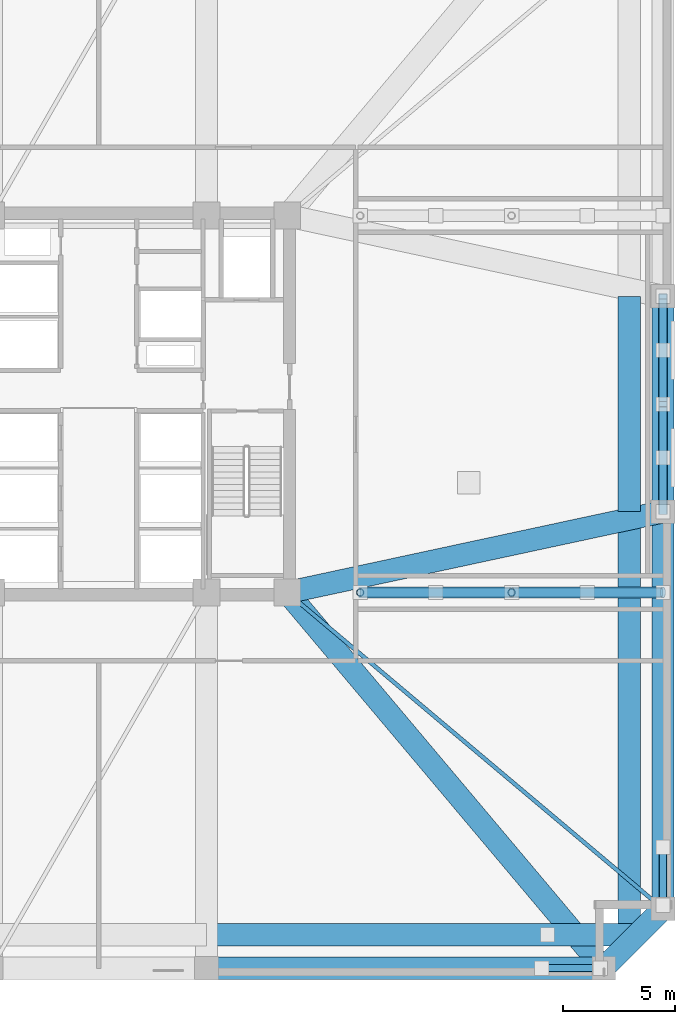
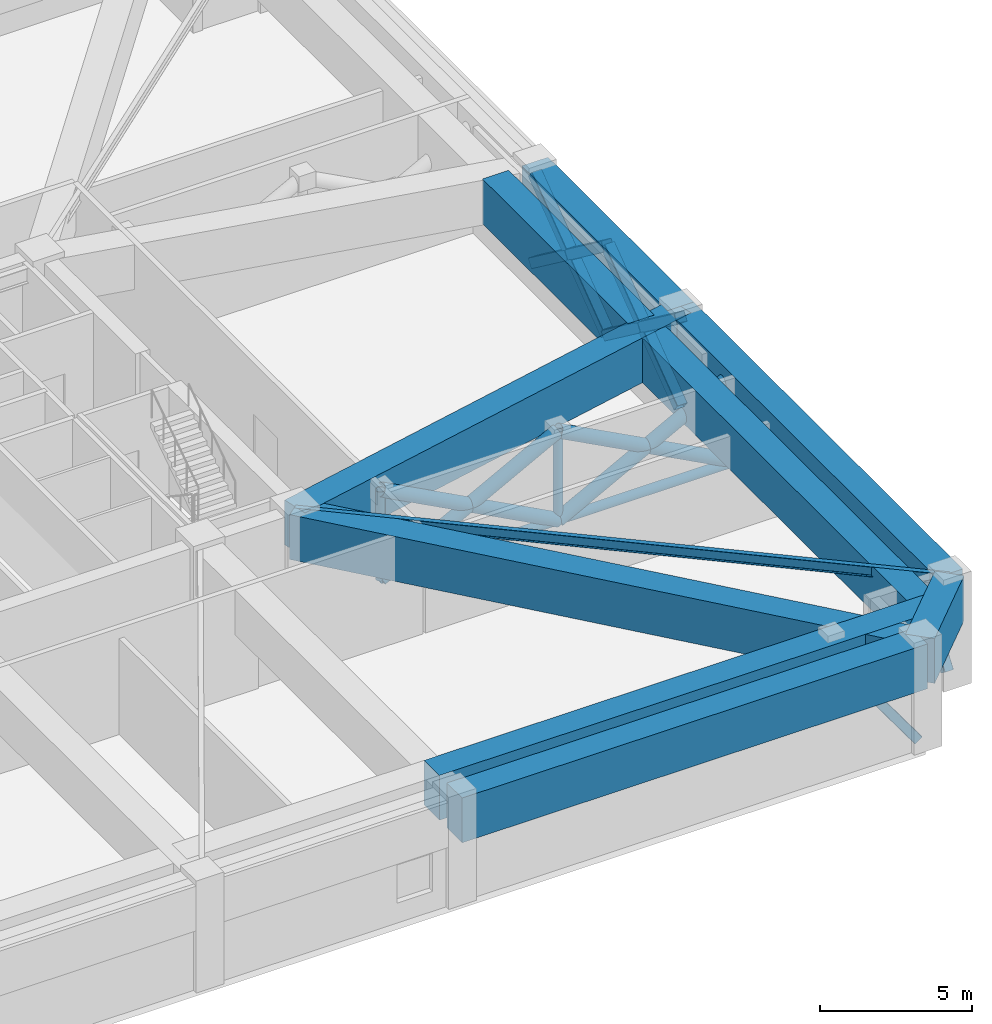
# One storey, part 3 of 13: 17 members, 10 beams.
"""IFC4 building model written with IfcOpenShell, lengths in metres."""

from ifc_helpers import new_model, si_unit, direction, frame, origin, origin_2d, place, context, subcontext, project, spatial, rectangle, hollow_rectangle, hollow_circle, i_section, extrude, material, material_profile, profile_set, type_object, element, save


model = new_model("IFC4")

# Units and contexts
model_context = context("Model", 3, precision=1e-05, world=origin(), true_north=direction((0.0, 1.0)))
body_context = subcontext(model_context, "Body", "Model", "MODEL_VIEW")
ifc_project = project(units=[si_unit("LENGTHUNIT", "METRE"), si_unit("AREAUNIT", "SQUARE_METRE"), si_unit("VOLUMEUNIT", "CUBIC_METRE"), si_unit("PLANEANGLEUNIT", "RADIAN"), si_unit("MASSUNIT", "GRAM", prefix="KILO")], contexts=[model_context])

# Site, building, storey
site_placement = place(None, origin())
site = spatial("IfcSite", under=ifc_project, at=site_placement, CompositionType="ELEMENT")
building_placement = place(site_placement, origin())
building = spatial("IfcBuilding", under=site, at=building_placement, Name="Cairnveth Concourse Tower", CompositionType="ELEMENT")
storey_placement = place(building_placement, frame((0.0, 0.0, 97.0)))
storey = spatial("IfcBuildingStorey", under=building, at=storey_placement, Name="L26", CompositionType="ELEMENT", Elevation=97.0)

# Members
ifc_material_1 = material(Name="Steel C350L0 (350 MPa)", Category="steel")
ifc_material_profile_1 = material_profile(ifc_material_1, hollow_circle(Radius=0.177734375, WallThickness=0.01611328125, at=origin_2d()), Name="355.6x16.0CHS")
ifc_profile_set_1 = profile_set([ifc_material_profile_1], Name="Steel C350L0 (350 MPa)")
member_type_1 = type_object("IfcMemberType", Name="BELT TRUSS CHORD 355.6X16CHS", PredefinedType="CHORD", material=ifc_profile_set_1)
member_1_placement = place(storey_placement, frame((63.64990234375, 30.60009765625, 0.25), z_axis=(1.0, 0.0, 0.0), x_axis=(0.0, 1.0, 0.0)))
element("IfcMember", 1, at=member_1_placement, inside=storey, type_object=member_type_1, Name="Structural Brace OUT-OE1A-CH L26", PredefinedType="CHORD", context=body_context, shape_type="SweptSolid", body=[
    extrude(hollow_circle(Radius=0.177734375, WallThickness=0.01611328125, at=origin_2d()), origin(), (0.0, 0.0, 1.0), 13.5),
])
ifc_material_profile_2 = material_profile(ifc_material_1, hollow_rectangle(XDim=0.39990234375, YDim=0.39990234375, WallThickness=0.01611328125, InnerFilletRadius=0.01611328125, OuterFilletRadius=0.031982421875, at=origin_2d()), Name="400x400x16.0SHS")
ifc_profile_set_2 = profile_set([ifc_material_profile_2], Name="Steel C350L0 (350 MPa)")
member_type_2 = type_object("IfcMemberType", Name="BELT TRUSS DIAGONAL 400X400X16SHS", PredefinedType="BRACE", material=ifc_profile_set_2)
member_2_placement = place(storey_placement, frame((77.14990234375, 34.199951171875, 0.25), z_axis=(0.0, 0.80159700688, 0.597864732663), x_axis=(-1.0, 0.0, 0.0)))
element("IfcMember", 2, at=member_2_placement, inside=storey, type_object=member_type_2, Name="Structural Brace BLT-BE1A L26", PredefinedType="BRACE", context=body_context, shape_type="SweptSolid", body=[
    extrude(hollow_rectangle(XDim=0.39990234375, YDim=0.39990234375, WallThickness=0.01611328125, InnerFilletRadius=0.01611328125, OuterFilletRadius=0.031982421875, at=origin_2d()), origin(), (0.0, 0.0, 1.0), 5.988037109375),
])
for number, where, z_axis, x_axis, name in (
    (3, (77.14990234375, 39.0, 0.25), (0.0, -0.801600181197, 0.597860476621), (1.0, 0.0, 0.0), "Structural Brace BLT-BE1B1 L26"),
    (4, (77.14990234375, 36.587890625, 2.049072265625), (0.0, -0.801600181197, 0.597860476621), (1.0, 0.0, 0.0), "Structural Brace BLT-BE1B2 L26"),
):
    element("IfcMember", number, at=place(storey_placement, frame(where, z_axis=z_axis, x_axis=x_axis)), inside=storey, type_object=member_type_2, Name=name, PredefinedType="BRACE", context=body_context, shape_type="SweptSolid", body=[
        extrude(hollow_rectangle(XDim=0.39990234375, YDim=0.39990234375, WallThickness=0.01611328125, InnerFilletRadius=0.01611328125, OuterFilletRadius=0.031982421875, at=origin_2d()), origin(), (0.0, 0.0, 1.0), 2.97900390625),
    ])
member_3_placement = place(storey_placement, frame((77.14990234375, 39.0, 0.25), z_axis=(0.0, 0.80159700688, 0.597864732663), x_axis=(-1.0, 0.0, 0.0)))
element("IfcMember", 5, at=member_3_placement, inside=storey, type_object=member_type_2, Name="Structural Brace BLT-BE2A L26", PredefinedType="BRACE", context=body_context, shape_type="SweptSolid", body=[
    extrude(hollow_rectangle(XDim=0.39990234375, YDim=0.39990234375, WallThickness=0.01611328125, InnerFilletRadius=0.01611328125, OuterFilletRadius=0.031982421875, at=origin_2d()), origin(), (0.0, 0.0, 1.0), 5.988037109375),
])
for number, where, z_axis, x_axis, name in (
    (6, (77.14990234375, 43.800048828125, 0.25), (0.0, -0.801600181197, 0.597860476621), (1.0, 0.0, 0.0), "Structural Brace BLT-BE2B1 L26"),
    (7, (77.14990234375, 41.387939453125, 2.049072265625), (0.0, -0.801600181197, 0.597860476621), (1.0, 0.0, 0.0), "Structural Brace BLT-BE2B2 L26"),
):
    element("IfcMember", number, at=place(storey_placement, frame(where, z_axis=z_axis, x_axis=x_axis)), inside=storey, type_object=member_type_2, Name=name, PredefinedType="BRACE", context=body_context, shape_type="SweptSolid", body=[
        extrude(hollow_rectangle(XDim=0.39990234375, YDim=0.39990234375, WallThickness=0.01611328125, InnerFilletRadius=0.01611328125, OuterFilletRadius=0.031982421875, at=origin_2d()), origin(), (0.0, 0.0, 1.0), 2.97900390625),
    ])

# Beams
ifc_material_2 = material(Name="Concrete N65 (65 MPa)", Category="concrete")
ifc_material_profile_3 = material_profile(ifc_material_2, rectangle(XDim=1.0, YDim=1.800048828125, at=origin_2d()), Name="RC-TB-1000x1800")
ifc_profile_set_3 = profile_set([ifc_material_profile_3], Name="Concrete N65 (65 MPa)")
beam_type_1 = type_object("IfcBeamType", Name="CONCRETE TRANSFER GIRDER 1000X1800", PredefinedType="BEAM", material=ifc_profile_set_3)
for number, where, z_axis, x_axis, name in (
    (8, (56.800048828125, 13.85009765625, 3.3798828125), (1.0, 0.0, 0.0), (0.0, 1.0, 0.0), "Beam SP-S3 L26"),
    (9, (77.14990234375, 16.5, 3.3798828125), (0.0, 1.0, 0.0), (-1.0, 0.0, 0.0), "Beam SP-E1 L26"),
):
    element("IfcBeam", number, at=place(storey_placement, frame(where, z_axis=z_axis, x_axis=x_axis)), inside=storey, type_object=beam_type_1, Name=name, PredefinedType="BEAM", context=body_context, shape_type="SweptSolid", body=[
        extrude(rectangle(XDim=1.0, YDim=1.800048828125, at=origin_2d()), origin(), (0.0, 0.0, 1.0), 17.699951171875),
    ])
beam_1_placement = place(storey_placement, frame((77.14990234375, 34.199951171875, 3.3798828125), z_axis=(0.0, 1.0, 0.0), x_axis=(-1.0, 0.0, 0.0)))
element("IfcBeam", 10, at=beam_1_placement, inside=storey, type_object=beam_type_1, Name="Beam SP-E2 L26", PredefinedType="BEAM", context=body_context, shape_type="SweptSolid", body=[
    extrude(rectangle(XDim=1.0, YDim=1.800048828125, at=origin_2d()), origin(), (0.0, 0.0, 1.0), 9.60009765625),
])
beam_2_placement = place(storey_placement, frame((74.5, 13.85009765625, 3.3798828125), z_axis=(0.707106781187, 0.707106781187, 0.0), x_axis=(-0.707106781187, 0.707106781187, 0.0)))
element("IfcBeam", 11, at=beam_2_placement, inside=storey, type_object=beam_type_1, Name="Beam SP-SE L26", PredefinedType="BEAM", context=body_context, shape_type="SweptSolid", body=[
    extrude(rectangle(XDim=1.0, YDim=1.800048828125, at=origin_2d()), origin(), (0.0, 0.0, 1.0), 3.74755859375),
])
beam_3_placement = place(storey_placement, frame((74.5, 13.85009765625, 3.3798828125), z_axis=(-0.643997697905, 0.765027427674, 0.0), x_axis=(-0.765027427674, -0.643997697905, 0.0)))
element("IfcBeam", 12, at=beam_3_placement, inside=storey, type_object=beam_type_1, Name="Beam RG-CSE L26", PredefinedType="BEAM", context=body_context, shape_type="SweptSolid", body=[
    extrude(rectangle(XDim=1.0, YDim=1.800048828125, at=origin_2d()), origin(), (0.0, 0.0, 1.0), 21.89453125),
])
beam_4_placement = place(storey_placement, frame((60.39990234375, 30.60009765625, 3.3798828125), z_axis=(0.977675861524, 0.210118799239, 0.0), x_axis=(-0.210118799239, 0.977675861524, 0.0)))
element("IfcBeam", 13, at=beam_4_placement, inside=storey, type_object=beam_type_1, Name="Beam RG-E1 L26", PredefinedType="BEAM", context=body_context, shape_type="SweptSolid", body=[
    extrude(rectangle(XDim=1.0, YDim=1.800048828125, at=origin_2d()), origin(), (0.0, 0.0, 1.0), 17.132568359375),
])
for number, where, z_axis, x_axis, name in (
    (14, (56.800048828125, 15.35009765625, 3.3798828125), (1.0, 0.0, 0.0), (0.0, 1.0, 0.0), "Beam STG-S3 L26"),
    (15, (75.64990234375, 15.0, 3.3798828125), (0.0, 1.0, 0.0), (-1.0, 0.0, 0.0), "Beam STG-E1 L26"),
):
    element("IfcBeam", number, at=place(storey_placement, frame(where, z_axis=z_axis, x_axis=x_axis)), inside=storey, type_object=beam_type_1, Name=name, PredefinedType="BEAM", context=body_context, shape_type="SweptSolid", body=[
        extrude(rectangle(XDim=1.0, YDim=1.800048828125, at=origin_2d()), origin(), (0.0, 0.0, 1.0), 19.199951171875),
    ])
beam_5_placement = place(storey_placement, frame((75.64990234375, 34.199951171875, 3.3798828125), z_axis=(0.0, 1.0, 0.0), x_axis=(-1.0, 0.0, 0.0)))
element("IfcBeam", 16, at=beam_5_placement, inside=storey, type_object=beam_type_1, Name="Beam STG-E2 L26", PredefinedType="BEAM", context=body_context, shape_type="SweptSolid", body=[
    extrude(rectangle(XDim=1.0, YDim=1.800048828125, at=origin_2d()), origin(), (0.0, 0.0, 1.0), 9.60009765625),
])

# Members
ifc_material_profile_4 = material_profile(ifc_material_1, hollow_circle(Radius=0.25390625, WallThickness=0.01611328125, at=origin_2d()), Name="508.0x16.0CHS")
ifc_profile_set_4 = profile_set([ifc_material_profile_4], Name="Steel C350L0 (350 MPa)")
member_type_3 = type_object("IfcMemberType", Name="OUTRIGGER DIAGONAL 508X16CHS", PredefinedType="BRACE", material=ifc_profile_set_4)
member_4_placement = place(storey_placement, frame((63.64990234375, 30.60009765625, 0.25), z_axis=(0.883433244898, 0.0, 0.468557042216), x_axis=(0.0, 1.0, 0.0)))
element("IfcMember", 17, at=member_4_placement, inside=storey, type_object=member_type_3, Name="Structural Brace OUT-OE1A-P1A L26", PredefinedType="BRACE", context=body_context, shape_type="SweptSolid", body=[
    extrude(hollow_circle(Radius=0.25390625, WallThickness=0.01611328125, at=origin_2d()), origin(), (0.0, 0.0, 1.0), 7.640625),
])
member_5_placement = place(storey_placement, frame((63.64990234375, 30.60009765625, 3.830078125), z_axis=(0.883442788673, 0.0, -0.468539047617), x_axis=(0.0, 1.0, 0.0)))
element("IfcMember", 18, at=member_5_placement, inside=storey, type_object=member_type_3, Name="Structural Brace OUT-OE1A-P1B1 L26", PredefinedType="BRACE", context=body_context, shape_type="SweptSolid", body=[
    extrude(hollow_circle(Radius=0.25390625, WallThickness=0.01611328125, at=origin_2d()), origin(), (0.0, 0.0, 1.0), 3.805419921875),
])
member_6_placement = place(storey_placement, frame((67.038330078125, 30.60009765625, 2.032958984375), z_axis=(0.88342870315, 0.0, -0.46856560528), x_axis=(0.0, 1.0, 0.0)))
element("IfcMember", 19, at=member_6_placement, inside=storey, type_object=member_type_3, Name="Structural Brace OUT-OE1A-P1B2 L26", PredefinedType="BRACE", context=body_context, shape_type="SweptSolid", body=[
    extrude(hollow_circle(Radius=0.25390625, WallThickness=0.01611328125, at=origin_2d()), origin(), (0.0, 0.0, 1.0), 3.80517578125),
])
member_7_placement = place(storey_placement, frame((70.39990234375, 30.60009765625, 0.25), z_axis=(0.883433244898, 0.0, 0.468557042216), x_axis=(0.0, 1.0, 0.0)))
element("IfcMember", 20, at=member_7_placement, inside=storey, type_object=member_type_3, Name="Structural Brace OUT-OE1A-P2A L26", PredefinedType="BRACE", context=body_context, shape_type="SweptSolid", body=[
    extrude(hollow_circle(Radius=0.25390625, WallThickness=0.01611328125, at=origin_2d()), origin(), (0.0, 0.0, 1.0), 7.640625),
])
member_8_placement = place(storey_placement, frame((70.39990234375, 30.60009765625, 3.830078125), z_axis=(0.883442788673, 0.0, -0.468539047617), x_axis=(0.0, 1.0, 0.0)))
element("IfcMember", 21, at=member_8_placement, inside=storey, type_object=member_type_3, Name="Structural Brace OUT-OE1A-P2B1 L26", PredefinedType="BRACE", context=body_context, shape_type="SweptSolid", body=[
    extrude(hollow_circle(Radius=0.25390625, WallThickness=0.01611328125, at=origin_2d()), origin(), (0.0, 0.0, 1.0), 3.805419921875),
])
member_9_placement = place(storey_placement, frame((73.788330078125, 30.60009765625, 2.032958984375), z_axis=(0.88342870315, 0.0, -0.46856560528), x_axis=(0.0, 1.0, 0.0)))
element("IfcMember", 22, at=member_9_placement, inside=storey, type_object=member_type_3, Name="Structural Brace OUT-OE1A-P2B2 L26", PredefinedType="BRACE", context=body_context, shape_type="SweptSolid", body=[
    extrude(hollow_circle(Radius=0.25390625, WallThickness=0.01611328125, at=origin_2d()), origin(), (0.0, 0.0, 1.0), 3.80517578125),
])
ifc_material_profile_5 = material_profile(ifc_material_1, hollow_circle(Radius=0.161865234375, WallThickness=0.0126953125, at=origin_2d()), Name="323.9x12.7CHS")
ifc_profile_set_5 = profile_set([ifc_material_profile_5], Name="Steel C350L0 (350 MPa)")
member_type_4 = type_object("IfcMemberType", Name="OUTRIGGER KING STRUT 323.9X12.7CHS", PredefinedType="STRUT", material=ifc_profile_set_5)
for number, where, z_axis, x_axis, name in (
    (23, (70.39990234375, 30.60009765625, 0.25), (0.0, 0.0, 1.0), (1.0, 0.0, 0.0), "Structural Brace OUT-OE1A-SR L26"),
    (24, (63.64990234375, 30.60009765625, 0.25), (0.0, 0.0, 1.0), (1.0, 0.0, 0.0), "Structural Brace OUT-OE1A-SRE L26"),
):
    element("IfcMember", number, at=place(storey_placement, frame(where, z_axis=z_axis, x_axis=x_axis)), inside=storey, type_object=member_type_4, Name=name, PredefinedType="STRUT", context=body_context, shape_type="SweptSolid", body=[
        extrude(hollow_circle(Radius=0.161865234375, WallThickness=0.0126953125, at=origin_2d()), origin(), (0.0, 0.0, 1.0), 3.580078125),
    ])

# Beam
ifc_material_3 = material(Name="Steel Grade 350", Category="steel")
ifc_material_profile_6 = material_profile(ifc_material_3, i_section(OverallWidth=0.177978515625, OverallDepth=0.406005859375, WebThickness=0.0078125, FlangeThickness=0.0126953125, FilletRadius=0.010986328125, at=origin_2d()), Name="410UB59.7")
ifc_profile_set_6 = profile_set([ifc_material_profile_6], Name="Steel Grade 350")
beam_type_2 = type_object("IfcBeamType", Name="ZONE 1 FLOOR JOIST 410UB59.7", PredefinedType="JOIST", material=ifc_profile_set_6)
beam_6_placement = place(storey_placement, frame((77.14990234375, 16.5, 4.076904296875), z_axis=(-0.765027427674, 0.643997697905, 0.0), x_axis=(-0.643997697905, -0.765027427674, 0.0)))
element("IfcBeam", 25, at=beam_6_placement, inside=storey, type_object=beam_type_2, Name="Beam FJ-CSE2 L26", PredefinedType="JOIST", context=body_context, shape_type="SweptSolid", body=[
    extrude(i_section(OverallWidth=0.177978515625, OverallDepth=0.406005859375, WebThickness=0.0078125, FlangeThickness=0.0126953125, FilletRadius=0.010986328125, at=origin_2d()), origin(), (0.0, 0.0, 1.0), 21.89453125),
])

# Members
ifc_material_profile_7 = material_profile(ifc_material_1, hollow_rectangle(XDim=0.35009765625, YDim=0.35009765625, WallThickness=0.01611328125, InnerFilletRadius=0.01611328125, OuterFilletRadius=0.031982421875, at=origin_2d()), Name="350x350x16.0SHS")
ifc_profile_set_7 = profile_set([ifc_material_profile_7], Name="Steel C350L0 (350 MPa)")
member_type_5 = type_object("IfcMemberType", Name="ZONE 1 PIER BRACE 350X350X16SHS", PredefinedType="BRACE", material=ifc_profile_set_7)
for number, where, z_axis, x_axis, name in (
    (26, (74.35009765625, 13.85009765625, 0.25), (-0.587640077388, 0.0, 0.809122450218), (0.0, -1.0, 0.0), "Structural Brace PB-S2 L26"),
    (27, (77.14990234375, 16.64990234375, 0.25), (0.0, 0.587640077388, 0.809122450218), (-1.0, 0.0, 0.0), "Structural Brace PB-E1 L26"),
):
    element("IfcMember", number, at=place(storey_placement, frame(where, z_axis=z_axis, x_axis=x_axis)), inside=storey, type_object=member_type_5, Name=name, PredefinedType="BRACE", context=body_context, shape_type="SweptSolid", body=[
        extrude(hollow_rectangle(XDim=0.35009765625, YDim=0.35009765625, WallThickness=0.01611328125, InnerFilletRadius=0.01611328125, OuterFilletRadius=0.031982421875, at=origin_2d()), origin(), (0.0, 0.0, 1.0), 4.424560546875),
    ])

save(model, "model.ifc")
